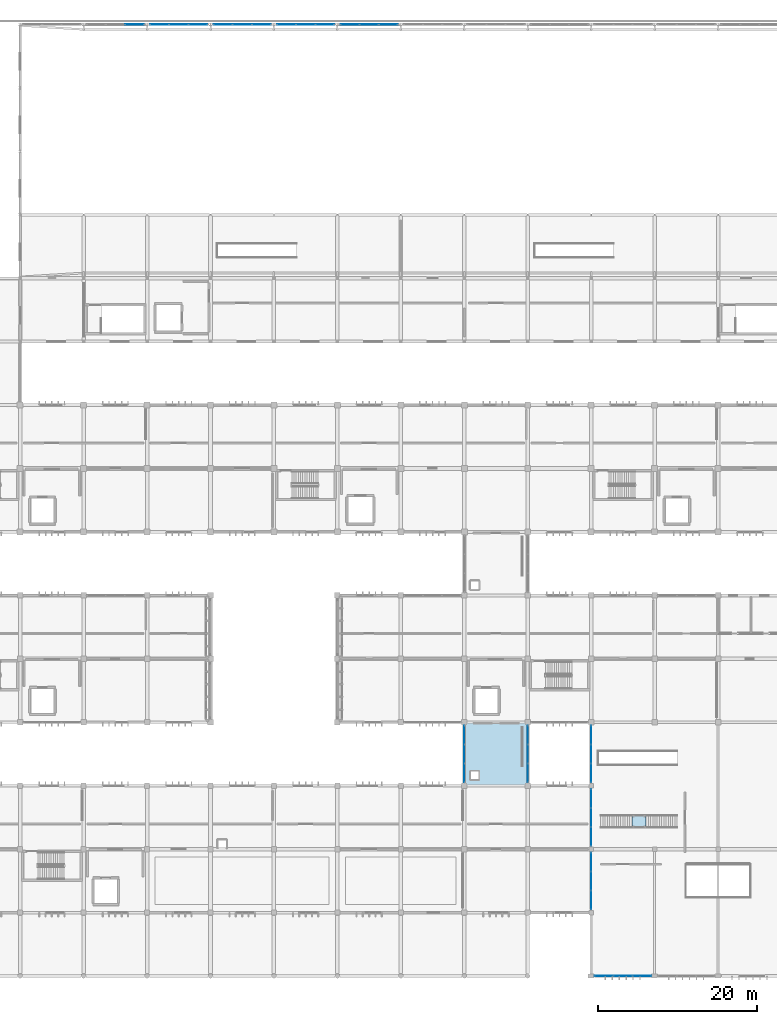
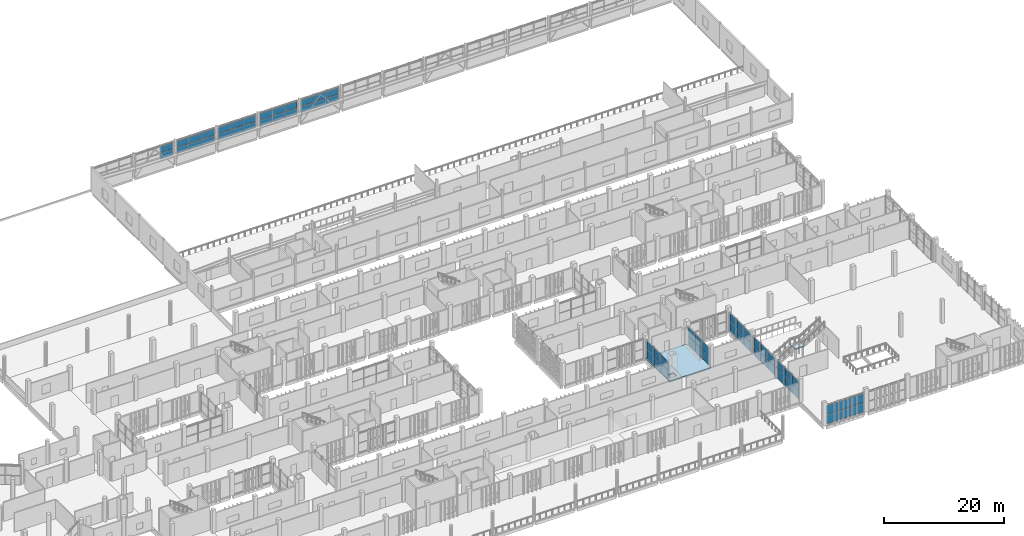
# One storey, part 73 of 106: 62 plates, 2 slabs, 12 elements without a shape of their own.
"""IFC4 building model written with IfcOpenShell, lengths in metres."""

from ifc_helpers import new_model, si_unit, direction, frame, origin, origin_2d, place, context, subcontext, project, spatial, polyline, rectangle, outline, extrude, material, layer, layer_set, type_object, element, aggregate, save


model = new_model("IFC4")

# Units and contexts
model_context = context("Model", 3, precision=1e-05, world=origin(), true_north=direction((0.0, 1.0)))
body_context = subcontext(model_context, "Body", "Model", "MODEL_VIEW")
ifc_project = project(units=[si_unit("LENGTHUNIT", "METRE"), si_unit("AREAUNIT", "SQUARE_METRE"), si_unit("VOLUMEUNIT", "CUBIC_METRE"), si_unit("PLANEANGLEUNIT", "RADIAN"), si_unit("MASSUNIT", "GRAM", prefix="KILO")], contexts=[model_context])

# Site, building, storey
site_placement = place(None, origin())
site = spatial("IfcSite", under=ifc_project, at=site_placement, CompositionType="ELEMENT")
building_placement = place(site_placement, origin())
building = spatial("IfcBuilding", under=site, at=building_placement, Name="Jelvoka-Kovrelna Polytechnic", CompositionType="ELEMENT")
storey_placement = place(building_placement, frame((0.0, 0.0, 4.800048828125)))
storey = spatial("IfcBuildingStorey", under=building, at=storey_placement, Name="L02", CompositionType="ELEMENT", Elevation=4.800048828125)

# Curtain wall, plates
ifc_material_1 = material(Name="Anodised aluminium 6063-T6", Category="aluminium")
ifc_layer_1 = layer(ifc_material_1, 0.199951171875)
ifc_layer_set_1 = layer_set([ifc_layer_1], Name="Anodised aluminium 6063-T6")
curtain_wall_type_1 = type_object("IfcCurtainWallType", Name="CW_Clerestory", PredefinedType="NOTDEFINED", material=ifc_layer_set_1)
curtain_wall_1_placement = place(storey_placement, origin())
curtain_wall_1 = element("IfcCurtainWall", 1, at=curtain_wall_1_placement, inside=storey, type_object=curtain_wall_type_1, Name="L02 glazed curtain wall 170", PredefinedType="NOTDEFINED")
ifc_material_2 = material(Name="Solar-control double glazing", Category="glass")
ifc_layer_2 = layer(ifc_material_2, 0.035888671875)
ifc_layer_set_2 = layer_set([ifc_layer_2], Name="Solar-control double glazing")
plate_type_1 = type_object("IfcPlateType", Name="Panel_GP-03", PredefinedType="CURTAIN_PANEL", material=ifc_layer_set_2)
plate_1_placement = place(storey_placement, frame((102.4091796875, 120.0, 2.011962890625), z_axis=(0.0, 0.0, 1.0), x_axis=(1.0, 0.0, 0.0)))
plate_1 = element("IfcPlate", 2, at=plate_1_placement, type_object=plate_type_1, Name="CW-03 panel 3.1", PredefinedType="CURTAIN_PANEL", context=body_context, shape_type="SweptSolid", body=[
    extrude(rectangle(XDim=2.337890625, YDim=0.035888671875, at=origin_2d()), origin(), (0.0, 0.0, 1.0), 1.296142578125),
])
plate_2_placement = place(storey_placement, frame((102.4091796875, 120.0, 3.362060546875), z_axis=(0.0, 0.0, 1.0), x_axis=(1.0, 0.0, 0.0)))
plate_2 = element("IfcPlate", 3, at=plate_2_placement, type_object=plate_type_1, Name="CW-03 panel 3.2", PredefinedType="CURTAIN_PANEL", context=body_context, shape_type="SweptSolid", body=[
    extrude(rectangle(XDim=2.337890625, YDim=0.035888671875, at=origin_2d()), origin(), (0.0, 0.0, 1.0), 1.296142578125),
])
aggregate(curtain_wall_1, [plate_1, plate_2])

curtain_wall_2_placement = place(storey_placement, origin())
curtain_wall_2 = element("IfcCurtainWall", 4, at=curtain_wall_2_placement, inside=storey, type_object=curtain_wall_type_1, Name="L02 glazed curtain wall 171", PredefinedType="NOTDEFINED")
plate_3_placement = place(storey_placement, frame((105.5908203125, 120.0, 2.011962890625), z_axis=(0.0, 0.0, 1.0), x_axis=(1.0, 0.0, 0.0)))
plate_3 = element("IfcPlate", 5, at=plate_3_placement, type_object=plate_type_1, Name="CW-03 panel 1.1", PredefinedType="CURTAIN_PANEL", context=body_context, shape_type="SweptSolid", body=[
    extrude(rectangle(XDim=2.337890625, YDim=0.035888671875, at=origin_2d()), origin(), (0.0, 0.0, 1.0), 1.296142578125),
])
plate_4_placement = place(storey_placement, frame((105.5908203125, 120.0, 3.362060546875), z_axis=(0.0, 0.0, 1.0), x_axis=(1.0, 0.0, 0.0)))
plate_4 = element("IfcPlate", 6, at=plate_4_placement, type_object=plate_type_1, Name="CW-03 panel 1.2", PredefinedType="CURTAIN_PANEL", context=body_context, shape_type="SweptSolid", body=[
    extrude(rectangle(XDim=2.337890625, YDim=0.035888671875, at=origin_2d()), origin(), (0.0, 0.0, 1.0), 1.296142578125),
])
plate_5_placement = place(storey_placement, frame((108.0, 120.0, 2.011962890625), z_axis=(0.0, 0.0, 1.0), x_axis=(1.0, 0.0, 0.0)))
plate_5 = element("IfcPlate", 7, at=plate_5_placement, type_object=plate_type_1, Name="CW-03 panel 2.1", PredefinedType="CURTAIN_PANEL", context=body_context, shape_type="SweptSolid", body=[
    extrude(rectangle(XDim=2.372802734375, YDim=0.035888671875, at=origin_2d()), origin(), (0.0, 0.0, 1.0), 1.296142578125),
])
plate_6_placement = place(storey_placement, frame((108.0, 120.0, 3.362060546875), z_axis=(0.0, 0.0, 1.0), x_axis=(1.0, 0.0, 0.0)))
plate_6 = element("IfcPlate", 8, at=plate_6_placement, type_object=plate_type_1, Name="CW-03 panel 2.2", PredefinedType="CURTAIN_PANEL", context=body_context, shape_type="SweptSolid", body=[
    extrude(rectangle(XDim=2.372802734375, YDim=0.035888671875, at=origin_2d()), origin(), (0.0, 0.0, 1.0), 1.296142578125),
])
plate_7_placement = place(storey_placement, frame((110.4091796875, 120.0, 2.011962890625), z_axis=(0.0, 0.0, 1.0), x_axis=(1.0, 0.0, 0.0)))
plate_7 = element("IfcPlate", 9, at=plate_7_placement, type_object=plate_type_1, Name="CW-03 panel 3.1", PredefinedType="CURTAIN_PANEL", context=body_context, shape_type="SweptSolid", body=[
    extrude(rectangle(XDim=2.337890625, YDim=0.035888671875, at=origin_2d()), origin(), (0.0, 0.0, 1.0), 1.296142578125),
])
plate_8_placement = place(storey_placement, frame((110.4091796875, 120.0, 3.362060546875), z_axis=(0.0, 0.0, 1.0), x_axis=(1.0, 0.0, 0.0)))
plate_8 = element("IfcPlate", 10, at=plate_8_placement, type_object=plate_type_1, Name="CW-03 panel 3.2", PredefinedType="CURTAIN_PANEL", context=body_context, shape_type="SweptSolid", body=[
    extrude(rectangle(XDim=2.337890625, YDim=0.035888671875, at=origin_2d()), origin(), (0.0, 0.0, 1.0), 1.296142578125),
])
aggregate(curtain_wall_2, [plate_3, plate_4, plate_5, plate_6, plate_7, plate_8])

curtain_wall_3_placement = place(storey_placement, origin())
curtain_wall_3 = element("IfcCurtainWall", 11, at=curtain_wall_3_placement, inside=storey, type_object=curtain_wall_type_1, Name="L02 glazed curtain wall 172", PredefinedType="NOTDEFINED")
plate_9_placement = place(storey_placement, frame((113.5908203125, 120.0, 2.011962890625), z_axis=(0.0, 0.0, 1.0), x_axis=(1.0, 0.0, 0.0)))
plate_9 = element("IfcPlate", 12, at=plate_9_placement, type_object=plate_type_1, Name="CW-03 panel 1.1", PredefinedType="CURTAIN_PANEL", context=body_context, shape_type="SweptSolid", body=[
    extrude(rectangle(XDim=2.337890625, YDim=0.035888671875, at=origin_2d()), origin(), (0.0, 0.0, 1.0), 1.296142578125),
])
plate_10_placement = place(storey_placement, frame((113.5908203125, 120.0, 3.362060546875), z_axis=(0.0, 0.0, 1.0), x_axis=(1.0, 0.0, 0.0)))
plate_10 = element("IfcPlate", 13, at=plate_10_placement, type_object=plate_type_1, Name="CW-03 panel 1.2", PredefinedType="CURTAIN_PANEL", context=body_context, shape_type="SweptSolid", body=[
    extrude(rectangle(XDim=2.337890625, YDim=0.035888671875, at=origin_2d()), origin(), (0.0, 0.0, 1.0), 1.296142578125),
])
plate_11_placement = place(storey_placement, frame((116.0, 120.0, 2.011962890625), z_axis=(0.0, 0.0, 1.0), x_axis=(1.0, 0.0, 0.0)))
plate_11 = element("IfcPlate", 14, at=plate_11_placement, type_object=plate_type_1, Name="CW-03 panel 2.1", PredefinedType="CURTAIN_PANEL", context=body_context, shape_type="SweptSolid", body=[
    extrude(rectangle(XDim=2.372802734375, YDim=0.035888671875, at=origin_2d()), origin(), (0.0, 0.0, 1.0), 1.296142578125),
])
plate_12_placement = place(storey_placement, frame((116.0, 120.0, 3.362060546875), z_axis=(0.0, 0.0, 1.0), x_axis=(1.0, 0.0, 0.0)))
plate_12 = element("IfcPlate", 15, at=plate_12_placement, type_object=plate_type_1, Name="CW-03 panel 2.2", PredefinedType="CURTAIN_PANEL", context=body_context, shape_type="SweptSolid", body=[
    extrude(rectangle(XDim=2.372802734375, YDim=0.035888671875, at=origin_2d()), origin(), (0.0, 0.0, 1.0), 1.296142578125),
])
plate_13_placement = place(storey_placement, frame((118.4091796875, 120.0, 2.011962890625), z_axis=(0.0, 0.0, 1.0), x_axis=(1.0, 0.0, 0.0)))
plate_13 = element("IfcPlate", 16, at=plate_13_placement, type_object=plate_type_1, Name="CW-03 panel 3.1", PredefinedType="CURTAIN_PANEL", context=body_context, shape_type="SweptSolid", body=[
    extrude(rectangle(XDim=2.337890625, YDim=0.035888671875, at=origin_2d()), origin(), (0.0, 0.0, 1.0), 1.296142578125),
])
plate_14_placement = place(storey_placement, frame((118.4091796875, 120.0, 3.362060546875), z_axis=(0.0, 0.0, 1.0), x_axis=(1.0, 0.0, 0.0)))
plate_14 = element("IfcPlate", 17, at=plate_14_placement, type_object=plate_type_1, Name="CW-03 panel 3.2", PredefinedType="CURTAIN_PANEL", context=body_context, shape_type="SweptSolid", body=[
    extrude(rectangle(XDim=2.337890625, YDim=0.035888671875, at=origin_2d()), origin(), (0.0, 0.0, 1.0), 1.296142578125),
])
aggregate(curtain_wall_3, [plate_9, plate_10, plate_11, plate_12, plate_13, plate_14])

curtain_wall_4_placement = place(storey_placement, origin())
curtain_wall_4 = element("IfcCurtainWall", 18, at=curtain_wall_4_placement, inside=storey, type_object=curtain_wall_type_1, Name="L02 glazed curtain wall 173", PredefinedType="NOTDEFINED")
plate_15_placement = place(storey_placement, frame((121.5908203125, 120.0, 2.011962890625), z_axis=(0.0, 0.0, 1.0), x_axis=(1.0, 0.0, 0.0)))
plate_15 = element("IfcPlate", 19, at=plate_15_placement, type_object=plate_type_1, Name="CW-03 panel 1.1", PredefinedType="CURTAIN_PANEL", context=body_context, shape_type="SweptSolid", body=[
    extrude(rectangle(XDim=2.337890625, YDim=0.035888671875, at=origin_2d()), origin(), (0.0, 0.0, 1.0), 1.296142578125),
])
plate_16_placement = place(storey_placement, frame((121.5908203125, 120.0, 3.362060546875), z_axis=(0.0, 0.0, 1.0), x_axis=(1.0, 0.0, 0.0)))
plate_16 = element("IfcPlate", 20, at=plate_16_placement, type_object=plate_type_1, Name="CW-03 panel 1.2", PredefinedType="CURTAIN_PANEL", context=body_context, shape_type="SweptSolid", body=[
    extrude(rectangle(XDim=2.337890625, YDim=0.035888671875, at=origin_2d()), origin(), (0.0, 0.0, 1.0), 1.296142578125),
])
plate_17_placement = place(storey_placement, frame((124.0, 120.0, 2.011962890625), z_axis=(0.0, 0.0, 1.0), x_axis=(1.0, 0.0, 0.0)))
plate_17 = element("IfcPlate", 21, at=plate_17_placement, type_object=plate_type_1, Name="CW-03 panel 2.1", PredefinedType="CURTAIN_PANEL", context=body_context, shape_type="SweptSolid", body=[
    extrude(rectangle(XDim=2.372802734375, YDim=0.035888671875, at=origin_2d()), origin(), (0.0, 0.0, 1.0), 1.296142578125),
])
plate_18_placement = place(storey_placement, frame((124.0, 120.0, 3.362060546875), z_axis=(0.0, 0.0, 1.0), x_axis=(1.0, 0.0, 0.0)))
plate_18 = element("IfcPlate", 22, at=plate_18_placement, type_object=plate_type_1, Name="CW-03 panel 2.2", PredefinedType="CURTAIN_PANEL", context=body_context, shape_type="SweptSolid", body=[
    extrude(rectangle(XDim=2.372802734375, YDim=0.035888671875, at=origin_2d()), origin(), (0.0, 0.0, 1.0), 1.296142578125),
])
plate_19_placement = place(storey_placement, frame((126.4091796875, 120.0, 2.011962890625), z_axis=(0.0, 0.0, 1.0), x_axis=(1.0, 0.0, 0.0)))
plate_19 = element("IfcPlate", 23, at=plate_19_placement, type_object=plate_type_1, Name="CW-03 panel 3.1", PredefinedType="CURTAIN_PANEL", context=body_context, shape_type="SweptSolid", body=[
    extrude(rectangle(XDim=2.337890625, YDim=0.035888671875, at=origin_2d()), origin(), (0.0, 0.0, 1.0), 1.296142578125),
])
plate_20_placement = place(storey_placement, frame((126.4091796875, 120.0, 3.362060546875), z_axis=(0.0, 0.0, 1.0), x_axis=(1.0, 0.0, 0.0)))
plate_20 = element("IfcPlate", 24, at=plate_20_placement, type_object=plate_type_1, Name="CW-03 panel 3.2", PredefinedType="CURTAIN_PANEL", context=body_context, shape_type="SweptSolid", body=[
    extrude(rectangle(XDim=2.337890625, YDim=0.035888671875, at=origin_2d()), origin(), (0.0, 0.0, 1.0), 1.296142578125),
])
aggregate(curtain_wall_4, [plate_15, plate_16, plate_17, plate_18, plate_19, plate_20])

curtain_wall_5_placement = place(storey_placement, origin())
curtain_wall_5 = element("IfcCurtainWall", 25, at=curtain_wall_5_placement, inside=storey, type_object=curtain_wall_type_1, Name="L02 glazed curtain wall 174", PredefinedType="NOTDEFINED")
plate_21_placement = place(storey_placement, frame((129.5908203125, 120.0, 2.011962890625), z_axis=(0.0, 0.0, 1.0), x_axis=(1.0, 0.0, 0.0)))
plate_21 = element("IfcPlate", 26, at=plate_21_placement, type_object=plate_type_1, Name="CW-03 panel 1.1", PredefinedType="CURTAIN_PANEL", context=body_context, shape_type="SweptSolid", body=[
    extrude(rectangle(XDim=2.337890625, YDim=0.035888671875, at=origin_2d()), origin(), (0.0, 0.0, 1.0), 1.296142578125),
])
plate_22_placement = place(storey_placement, frame((129.5908203125, 120.0, 3.362060546875), z_axis=(0.0, 0.0, 1.0), x_axis=(1.0, 0.0, 0.0)))
plate_22 = element("IfcPlate", 27, at=plate_22_placement, type_object=plate_type_1, Name="CW-03 panel 1.2", PredefinedType="CURTAIN_PANEL", context=body_context, shape_type="SweptSolid", body=[
    extrude(rectangle(XDim=2.337890625, YDim=0.035888671875, at=origin_2d()), origin(), (0.0, 0.0, 1.0), 1.296142578125),
])
plate_23_placement = place(storey_placement, frame((132.0, 120.0, 2.011962890625), z_axis=(0.0, 0.0, 1.0), x_axis=(1.0, 0.0, 0.0)))
plate_23 = element("IfcPlate", 28, at=plate_23_placement, type_object=plate_type_1, Name="CW-03 panel 2.1", PredefinedType="CURTAIN_PANEL", context=body_context, shape_type="SweptSolid", body=[
    extrude(rectangle(XDim=2.372802734375, YDim=0.035888671875, at=origin_2d()), origin(), (0.0, 0.0, 1.0), 1.296142578125),
])
plate_24_placement = place(storey_placement, frame((132.0, 120.0, 3.362060546875), z_axis=(0.0, 0.0, 1.0), x_axis=(1.0, 0.0, 0.0)))
plate_24 = element("IfcPlate", 29, at=plate_24_placement, type_object=plate_type_1, Name="CW-03 panel 2.2", PredefinedType="CURTAIN_PANEL", context=body_context, shape_type="SweptSolid", body=[
    extrude(rectangle(XDim=2.372802734375, YDim=0.035888671875, at=origin_2d()), origin(), (0.0, 0.0, 1.0), 1.296142578125),
])
plate_25_placement = place(storey_placement, frame((134.4091796875, 120.0, 2.011962890625), z_axis=(0.0, 0.0, 1.0), x_axis=(1.0, 0.0, 0.0)))
plate_25 = element("IfcPlate", 30, at=plate_25_placement, type_object=plate_type_1, Name="CW-03 panel 3.1", PredefinedType="CURTAIN_PANEL", context=body_context, shape_type="SweptSolid", body=[
    extrude(rectangle(XDim=2.337890625, YDim=0.035888671875, at=origin_2d()), origin(), (0.0, 0.0, 1.0), 1.296142578125),
])
plate_26_placement = place(storey_placement, frame((134.4091796875, 120.0, 3.362060546875), z_axis=(0.0, 0.0, 1.0), x_axis=(1.0, 0.0, 0.0)))
plate_26 = element("IfcPlate", 31, at=plate_26_placement, type_object=plate_type_1, Name="CW-03 panel 3.2", PredefinedType="CURTAIN_PANEL", context=body_context, shape_type="SweptSolid", body=[
    extrude(rectangle(XDim=2.337890625, YDim=0.035888671875, at=origin_2d()), origin(), (0.0, 0.0, 1.0), 1.296142578125),
])
aggregate(curtain_wall_5, [plate_21, plate_22, plate_23, plate_24, plate_25, plate_26])

ifc_material_3 = material(Name="Anodised aluminium 6063-T6", Category="aluminium")
ifc_layer_3 = layer(ifc_material_3, 0.159912109375)
ifc_layer_set_3 = layer_set([ifc_layer_3], Name="Anodised aluminium 6063-T6")
curtain_wall_type_2 = type_object("IfcCurtainWallType", Name="CW_LinkBridge", PredefinedType="NOTDEFINED", material=ifc_layer_set_3)
curtain_wall_6_placement = place(storey_placement, origin())
curtain_wall_6 = element("IfcCurtainWall", 32, at=curtain_wall_6_placement, inside=storey, type_object=curtain_wall_type_2, Name="L02 glazed curtain wall 116", PredefinedType="NOTDEFINED")
ifc_material_4 = material(Name="Solar-control double glazing", Category="glass")
ifc_layer_4 = layer(ifc_material_4, 0.02392578125)
ifc_layer_set_4 = layer_set([ifc_layer_4], Name="Solar-control double glazing")
plate_type_2 = type_object("IfcPlateType", Name="Panel_GP-04", PredefinedType="CURTAIN_PANEL", material=ifc_layer_set_4)
plate_27_placement = place(storey_placement, frame((144.0, 25.614990234375, 0.0517578125), z_axis=(0.0, 0.0, 1.0), x_axis=(0.0, 1.0, 0.0)))
plate_27 = element("IfcPlate", 33, at=plate_27_placement, type_object=plate_type_2, Name="CW-04 panel 1.1", PredefinedType="CURTAIN_PANEL", context=body_context, shape_type="SweptSolid", body=[
    extrude(rectangle(XDim=2.326171875, YDim=0.02392578125, at=origin_2d()), origin(), (0.0, 0.0, 1.0), 1.80615234375),
])
plate_28_placement = place(storey_placement, frame((144.0, 25.614990234375, 1.90185546875), z_axis=(0.0, 0.0, 1.0), x_axis=(0.0, 1.0, 0.0)))
plate_28 = element("IfcPlate", 34, at=plate_28_placement, type_object=plate_type_2, Name="CW-04 panel 1.2", PredefinedType="CURTAIN_PANEL", context=body_context, shape_type="SweptSolid", body=[
    extrude(rectangle(XDim=2.326171875, YDim=0.02392578125, at=origin_2d()), origin(), (0.0, 0.0, 1.0), 1.80615234375),
])
plate_29_placement = place(storey_placement, frame((144.0, 28.0, 0.0517578125), z_axis=(0.0, 0.0, 1.0), x_axis=(0.0, 1.0, 0.0)))
plate_29 = element("IfcPlate", 35, at=plate_29_placement, type_object=plate_type_2, Name="CW-04 panel 2.1", PredefinedType="CURTAIN_PANEL", context=body_context, shape_type="SweptSolid", body=[
    extrude(rectangle(XDim=2.356201171875, YDim=0.02392578125, at=origin_2d()), origin(), (0.0, 0.0, 1.0), 1.80615234375),
])
plate_30_placement = place(storey_placement, frame((144.0, 28.0, 1.90185546875), z_axis=(0.0, 0.0, 1.0), x_axis=(0.0, 1.0, 0.0)))
plate_30 = element("IfcPlate", 36, at=plate_30_placement, type_object=plate_type_2, Name="CW-04 panel 2.2", PredefinedType="CURTAIN_PANEL", context=body_context, shape_type="SweptSolid", body=[
    extrude(rectangle(XDim=2.356201171875, YDim=0.02392578125, at=origin_2d()), origin(), (0.0, 0.0, 1.0), 1.80615234375),
])
plate_31_placement = place(storey_placement, frame((144.0, 30.385009765625, 0.0517578125), z_axis=(0.0, 0.0, 1.0), x_axis=(0.0, 1.0, 0.0)))
plate_31 = element("IfcPlate", 37, at=plate_31_placement, type_object=plate_type_2, Name="CW-04 panel 3.1", PredefinedType="CURTAIN_PANEL", context=body_context, shape_type="SweptSolid", body=[
    extrude(rectangle(XDim=2.326171875, YDim=0.02392578125, at=origin_2d()), origin(), (0.0, 0.0, 1.0), 1.80615234375),
])
plate_32_placement = place(storey_placement, frame((144.0, 30.385009765625, 1.90185546875), z_axis=(0.0, 0.0, 1.0), x_axis=(0.0, 1.0, 0.0)))
plate_32 = element("IfcPlate", 38, at=plate_32_placement, type_object=plate_type_2, Name="CW-04 panel 3.2", PredefinedType="CURTAIN_PANEL", context=body_context, shape_type="SweptSolid", body=[
    extrude(rectangle(XDim=2.326171875, YDim=0.02392578125, at=origin_2d()), origin(), (0.0, 0.0, 1.0), 1.80615234375),
])
aggregate(curtain_wall_6, [plate_27, plate_28, plate_29, plate_30, plate_31, plate_32])

curtain_wall_7_placement = place(storey_placement, origin())
curtain_wall_7 = element("IfcCurtainWall", 39, at=curtain_wall_7_placement, inside=storey, type_object=curtain_wall_type_2, Name="L02 glazed curtain wall 117", PredefinedType="NOTDEFINED")
plate_33_placement = place(storey_placement, frame((152.0, 30.385009765625, 0.0517578125), z_axis=(0.0, 0.0, 1.0), x_axis=(0.0, -1.0, 0.0)))
plate_33 = element("IfcPlate", 40, at=plate_33_placement, type_object=plate_type_2, Name="CW-04 panel 1.1", PredefinedType="CURTAIN_PANEL", context=body_context, shape_type="SweptSolid", body=[
    extrude(rectangle(XDim=2.326171875, YDim=0.02392578125, at=origin_2d()), origin(), (0.0, 0.0, 1.0), 1.80615234375),
])
plate_34_placement = place(storey_placement, frame((152.0, 30.385009765625, 1.90185546875), z_axis=(0.0, 0.0, 1.0), x_axis=(0.0, -1.0, 0.0)))
plate_34 = element("IfcPlate", 41, at=plate_34_placement, type_object=plate_type_2, Name="CW-04 panel 1.2", PredefinedType="CURTAIN_PANEL", context=body_context, shape_type="SweptSolid", body=[
    extrude(rectangle(XDim=2.326171875, YDim=0.02392578125, at=origin_2d()), origin(), (0.0, 0.0, 1.0), 1.80615234375),
])
plate_35_placement = place(storey_placement, frame((152.0, 28.0, 0.0517578125), z_axis=(0.0, 0.0, 1.0), x_axis=(0.0, -1.0, 0.0)))
plate_35 = element("IfcPlate", 42, at=plate_35_placement, type_object=plate_type_2, Name="CW-04 panel 2.1", PredefinedType="CURTAIN_PANEL", context=body_context, shape_type="SweptSolid", body=[
    extrude(rectangle(XDim=2.356201171875, YDim=0.02392578125, at=origin_2d()), origin(), (0.0, 0.0, 1.0), 1.80615234375),
])
plate_36_placement = place(storey_placement, frame((152.0, 28.0, 1.90185546875), z_axis=(0.0, 0.0, 1.0), x_axis=(0.0, -1.0, 0.0)))
plate_36 = element("IfcPlate", 43, at=plate_36_placement, type_object=plate_type_2, Name="CW-04 panel 2.2", PredefinedType="CURTAIN_PANEL", context=body_context, shape_type="SweptSolid", body=[
    extrude(rectangle(XDim=2.356201171875, YDim=0.02392578125, at=origin_2d()), origin(), (0.0, 0.0, 1.0), 1.80615234375),
])
plate_37_placement = place(storey_placement, frame((152.0, 25.614990234375, 0.0517578125), z_axis=(0.0, 0.0, 1.0), x_axis=(0.0, -1.0, 0.0)))
plate_37 = element("IfcPlate", 44, at=plate_37_placement, type_object=plate_type_2, Name="CW-04 panel 3.1", PredefinedType="CURTAIN_PANEL", context=body_context, shape_type="SweptSolid", body=[
    extrude(rectangle(XDim=2.326171875, YDim=0.02392578125, at=origin_2d()), origin(), (0.0, 0.0, 1.0), 1.80615234375),
])
plate_38_placement = place(storey_placement, frame((152.0, 25.614990234375, 1.90185546875), z_axis=(0.0, 0.0, 1.0), x_axis=(0.0, -1.0, 0.0)))
plate_38 = element("IfcPlate", 45, at=plate_38_placement, type_object=plate_type_2, Name="CW-04 panel 3.2", PredefinedType="CURTAIN_PANEL", context=body_context, shape_type="SweptSolid", body=[
    extrude(rectangle(XDim=2.326171875, YDim=0.02392578125, at=origin_2d()), origin(), (0.0, 0.0, 1.0), 1.80615234375),
])
aggregate(curtain_wall_7, [plate_33, plate_34, plate_35, plate_36, plate_37, plate_38])

ifc_material_5 = material(Name="Anodised aluminium 6063-T6", Category="aluminium")
ifc_layer_5 = layer(ifc_material_5, 0.179931640625)
ifc_layer_set_5 = layer_set([ifc_layer_5], Name="Anodised aluminium 6063-T6")
curtain_wall_type_3 = type_object("IfcCurtainWallType", Name="CW_Pavilion", PredefinedType="NOTDEFINED", material=ifc_layer_set_5)
curtain_wall_8_placement = place(storey_placement, origin())
curtain_wall_8 = element("IfcCurtainWall", 46, at=curtain_wall_8_placement, inside=storey, type_object=curtain_wall_type_3, Name="L02 glazed curtain wall 279", PredefinedType="NOTDEFINED")
ifc_material_6 = material(Name="Solar-control double glazing", Category="glass")
ifc_layer_6 = layer(ifc_material_6, 0.030029296875)
ifc_layer_set_6 = layer_set([ifc_layer_6], Name="Solar-control double glazing")
plate_type_3 = type_object("IfcPlateType", Name="Panel_GP-05", PredefinedType="CURTAIN_PANEL", material=ifc_layer_set_6)
plate_39_placement = place(storey_placement, frame((166.3837890625, 0.0, 0.056884765625), z_axis=(0.0, 0.0, 1.0), x_axis=(-1.0, 0.0, 0.0)))
plate_39 = element("IfcPlate", 47, at=plate_39_placement, type_object=plate_type_3, Name="CW-05 panel 1.1", PredefinedType="CURTAIN_PANEL", context=body_context, shape_type="SweptSolid", body=[
    extrude(rectangle(XDim=2.318603515625, YDim=0.030029296875, at=origin_2d()), origin(), (0.0, 0.0, 1.0), 1.863525390625),
])
plate_40_placement = place(storey_placement, frame((166.3837890625, 0.0, 1.969482421875), z_axis=(0.0, 0.0, 1.0), x_axis=(-1.0, 0.0, 0.0)))
plate_40 = element("IfcPlate", 48, at=plate_40_placement, type_object=plate_type_3, Name="CW-05 panel 1.2", PredefinedType="CURTAIN_PANEL", context=body_context, shape_type="SweptSolid", body=[
    extrude(rectangle(XDim=2.318603515625, YDim=0.030029296875, at=origin_2d()), origin(), (0.0, 0.0, 1.0), 1.863525390625),
])
plate_41_placement = place(storey_placement, frame((164.0, 0.0, 0.056884765625), z_axis=(0.0, 0.0, 1.0), x_axis=(-1.0, 0.0, 0.0)))
plate_41 = element("IfcPlate", 49, at=plate_41_placement, type_object=plate_type_3, Name="CW-05 panel 2.1", PredefinedType="CURTAIN_PANEL", context=body_context, shape_type="SweptSolid", body=[
    extrude(rectangle(XDim=2.35107421875, YDim=0.030029296875, at=origin_2d()), origin(), (0.0, 0.0, 1.0), 1.863525390625),
])
plate_42_placement = place(storey_placement, frame((164.0, 0.0, 1.969482421875), z_axis=(0.0, 0.0, 1.0), x_axis=(-1.0, 0.0, 0.0)))
plate_42 = element("IfcPlate", 50, at=plate_42_placement, type_object=plate_type_3, Name="CW-05 panel 2.2", PredefinedType="CURTAIN_PANEL", context=body_context, shape_type="SweptSolid", body=[
    extrude(rectangle(XDim=2.35107421875, YDim=0.030029296875, at=origin_2d()), origin(), (0.0, 0.0, 1.0), 1.863525390625),
])
plate_43_placement = place(storey_placement, frame((161.6162109375, 0.0, 0.056884765625), z_axis=(0.0, 0.0, 1.0), x_axis=(-1.0, 0.0, 0.0)))
plate_43 = element("IfcPlate", 51, at=plate_43_placement, type_object=plate_type_3, Name="CW-05 panel 3.1", PredefinedType="CURTAIN_PANEL", context=body_context, shape_type="SweptSolid", body=[
    extrude(rectangle(XDim=2.318603515625, YDim=0.030029296875, at=origin_2d()), origin(), (0.0, 0.0, 1.0), 1.863525390625),
])
plate_44_placement = place(storey_placement, frame((161.6162109375, 0.0, 1.969482421875), z_axis=(0.0, 0.0, 1.0), x_axis=(-1.0, 0.0, 0.0)))
plate_44 = element("IfcPlate", 52, at=plate_44_placement, type_object=plate_type_3, Name="CW-05 panel 3.2", PredefinedType="CURTAIN_PANEL", context=body_context, shape_type="SweptSolid", body=[
    extrude(rectangle(XDim=2.318603515625, YDim=0.030029296875, at=origin_2d()), origin(), (0.0, 0.0, 1.0), 1.863525390625),
])
aggregate(curtain_wall_8, [plate_39, plate_40, plate_41, plate_42, plate_43, plate_44])

curtain_wall_9_placement = place(storey_placement, origin())
curtain_wall_9 = element("IfcCurtainWall", 53, at=curtain_wall_9_placement, inside=storey, type_object=curtain_wall_type_3, Name="L02 glazed curtain wall 283", PredefinedType="NOTDEFINED")
plate_45_placement = place(storey_placement, frame((160.0, 9.6162109375, 0.056884765625), z_axis=(0.0, 0.0, 1.0), x_axis=(0.0, 1.0, 0.0)))
plate_45 = element("IfcPlate", 54, at=plate_45_placement, type_object=plate_type_3, Name="CW-05 panel 1.1", PredefinedType="CURTAIN_PANEL", context=body_context, shape_type="SweptSolid", body=[
    extrude(rectangle(XDim=2.318603515625, YDim=0.030029296875, at=origin_2d()), origin(), (0.0, 0.0, 1.0), 1.82470703125),
])
plate_46_placement = place(storey_placement, frame((160.0, 9.6162109375, 1.930419921875), z_axis=(0.0, 0.0, 1.0), x_axis=(0.0, 1.0, 0.0)))
plate_46 = element("IfcPlate", 55, at=plate_46_placement, type_object=plate_type_3, Name="CW-05 panel 1.2", PredefinedType="CURTAIN_PANEL", context=body_context, shape_type="SweptSolid", body=[
    extrude(rectangle(XDim=2.318603515625, YDim=0.030029296875, at=origin_2d()), origin(), (0.0, 0.0, 1.0), 1.82470703125),
])
plate_47_placement = place(storey_placement, frame((160.0, 12.0, 0.056884765625), z_axis=(0.0, 0.0, 1.0), x_axis=(0.0, 1.0, 0.0)))
plate_47 = element("IfcPlate", 56, at=plate_47_placement, type_object=plate_type_3, Name="CW-05 panel 2.1", PredefinedType="CURTAIN_PANEL", context=body_context, shape_type="SweptSolid", body=[
    extrude(rectangle(XDim=2.35107421875, YDim=0.030029296875, at=origin_2d()), origin(), (0.0, 0.0, 1.0), 1.82470703125),
])
plate_48_placement = place(storey_placement, frame((160.0, 12.0, 1.930419921875), z_axis=(0.0, 0.0, 1.0), x_axis=(0.0, 1.0, 0.0)))
plate_48 = element("IfcPlate", 57, at=plate_48_placement, type_object=plate_type_3, Name="CW-05 panel 2.2", PredefinedType="CURTAIN_PANEL", context=body_context, shape_type="SweptSolid", body=[
    extrude(rectangle(XDim=2.35107421875, YDim=0.030029296875, at=origin_2d()), origin(), (0.0, 0.0, 1.0), 1.82470703125),
])
plate_49_placement = place(storey_placement, frame((160.0, 14.3837890625, 0.056884765625), z_axis=(0.0, 0.0, 1.0), x_axis=(0.0, 1.0, 0.0)))
plate_49 = element("IfcPlate", 58, at=plate_49_placement, type_object=plate_type_3, Name="CW-05 panel 3.1", PredefinedType="CURTAIN_PANEL", context=body_context, shape_type="SweptSolid", body=[
    extrude(rectangle(XDim=2.318603515625, YDim=0.030029296875, at=origin_2d()), origin(), (0.0, 0.0, 1.0), 1.82470703125),
])
plate_50_placement = place(storey_placement, frame((160.0, 14.3837890625, 1.930419921875), z_axis=(0.0, 0.0, 1.0), x_axis=(0.0, 1.0, 0.0)))
plate_50 = element("IfcPlate", 59, at=plate_50_placement, type_object=plate_type_3, Name="CW-05 panel 3.2", PredefinedType="CURTAIN_PANEL", context=body_context, shape_type="SweptSolid", body=[
    extrude(rectangle(XDim=2.318603515625, YDim=0.030029296875, at=origin_2d()), origin(), (0.0, 0.0, 1.0), 1.82470703125),
])
aggregate(curtain_wall_9, [plate_45, plate_46, plate_47, plate_48, plate_49, plate_50])

curtain_wall_10_placement = place(storey_placement, origin())
curtain_wall_10 = element("IfcCurtainWall", 60, at=curtain_wall_10_placement, inside=storey, type_object=curtain_wall_type_3, Name="L02 glazed curtain wall 284", PredefinedType="NOTDEFINED")
plate_51_placement = place(storey_placement, frame((160.0, 17.6162109375, 0.056884765625), z_axis=(0.0, 0.0, 1.0), x_axis=(0.0, 1.0, 0.0)))
plate_51 = element("IfcPlate", 61, at=plate_51_placement, type_object=plate_type_3, Name="CW-05 panel 1.1", PredefinedType="CURTAIN_PANEL", context=body_context, shape_type="SweptSolid", body=[
    extrude(rectangle(XDim=2.318603515625, YDim=0.030029296875, at=origin_2d()), origin(), (0.0, 0.0, 1.0), 1.82470703125),
])
plate_52_placement = place(storey_placement, frame((160.0, 17.6162109375, 1.930419921875), z_axis=(0.0, 0.0, 1.0), x_axis=(0.0, 1.0, 0.0)))
plate_52 = element("IfcPlate", 62, at=plate_52_placement, type_object=plate_type_3, Name="CW-05 panel 1.2", PredefinedType="CURTAIN_PANEL", context=body_context, shape_type="SweptSolid", body=[
    extrude(rectangle(XDim=2.318603515625, YDim=0.030029296875, at=origin_2d()), origin(), (0.0, 0.0, 1.0), 1.82470703125),
])
plate_53_placement = place(storey_placement, frame((160.0, 20.0, 0.056884765625), z_axis=(0.0, 0.0, 1.0), x_axis=(0.0, 1.0, 0.0)))
plate_53 = element("IfcPlate", 63, at=plate_53_placement, type_object=plate_type_3, Name="CW-05 panel 2.1", PredefinedType="CURTAIN_PANEL", context=body_context, shape_type="SweptSolid", body=[
    extrude(rectangle(XDim=2.35107421875, YDim=0.030029296875, at=origin_2d()), origin(), (0.0, 0.0, 1.0), 1.82470703125),
])
plate_54_placement = place(storey_placement, frame((160.0, 20.0, 1.930419921875), z_axis=(0.0, 0.0, 1.0), x_axis=(0.0, 1.0, 0.0)))
plate_54 = element("IfcPlate", 64, at=plate_54_placement, type_object=plate_type_3, Name="CW-05 panel 2.2", PredefinedType="CURTAIN_PANEL", context=body_context, shape_type="SweptSolid", body=[
    extrude(rectangle(XDim=2.35107421875, YDim=0.030029296875, at=origin_2d()), origin(), (0.0, 0.0, 1.0), 1.82470703125),
])
plate_55_placement = place(storey_placement, frame((160.0, 22.3837890625, 0.056884765625), z_axis=(0.0, 0.0, 1.0), x_axis=(0.0, 1.0, 0.0)))
plate_55 = element("IfcPlate", 65, at=plate_55_placement, type_object=plate_type_3, Name="CW-05 panel 3.1", PredefinedType="CURTAIN_PANEL", context=body_context, shape_type="SweptSolid", body=[
    extrude(rectangle(XDim=2.318603515625, YDim=0.030029296875, at=origin_2d()), origin(), (0.0, 0.0, 1.0), 1.82470703125),
])
plate_56_placement = place(storey_placement, frame((160.0, 22.3837890625, 1.930419921875), z_axis=(0.0, 0.0, 1.0), x_axis=(0.0, 1.0, 0.0)))
plate_56 = element("IfcPlate", 66, at=plate_56_placement, type_object=plate_type_3, Name="CW-05 panel 3.2", PredefinedType="CURTAIN_PANEL", context=body_context, shape_type="SweptSolid", body=[
    extrude(rectangle(XDim=2.318603515625, YDim=0.030029296875, at=origin_2d()), origin(), (0.0, 0.0, 1.0), 1.82470703125),
])
aggregate(curtain_wall_10, [plate_51, plate_52, plate_53, plate_54, plate_55, plate_56])

curtain_wall_11_placement = place(storey_placement, origin())
curtain_wall_11 = element("IfcCurtainWall", 67, at=curtain_wall_11_placement, inside=storey, type_object=curtain_wall_type_3, Name="L02 glazed curtain wall 285", PredefinedType="NOTDEFINED")
plate_57_placement = place(storey_placement, frame((160.0, 25.6162109375, 0.056884765625), z_axis=(0.0, 0.0, 1.0), x_axis=(0.0, 1.0, 0.0)))
plate_57 = element("IfcPlate", 68, at=plate_57_placement, type_object=plate_type_3, Name="CW-05 panel 1.1", PredefinedType="CURTAIN_PANEL", context=body_context, shape_type="SweptSolid", body=[
    extrude(rectangle(XDim=2.318603515625, YDim=0.030029296875, at=origin_2d()), origin(), (0.0, 0.0, 1.0), 1.82470703125),
])
plate_58_placement = place(storey_placement, frame((160.0, 25.6162109375, 1.930419921875), z_axis=(0.0, 0.0, 1.0), x_axis=(0.0, 1.0, 0.0)))
plate_58 = element("IfcPlate", 69, at=plate_58_placement, type_object=plate_type_3, Name="CW-05 panel 1.2", PredefinedType="CURTAIN_PANEL", context=body_context, shape_type="SweptSolid", body=[
    extrude(rectangle(XDim=2.318603515625, YDim=0.030029296875, at=origin_2d()), origin(), (0.0, 0.0, 1.0), 1.82470703125),
])
plate_59_placement = place(storey_placement, frame((160.0, 28.0, 0.056884765625), z_axis=(0.0, 0.0, 1.0), x_axis=(0.0, 1.0, 0.0)))
plate_59 = element("IfcPlate", 70, at=plate_59_placement, type_object=plate_type_3, Name="CW-05 panel 2.1", PredefinedType="CURTAIN_PANEL", context=body_context, shape_type="SweptSolid", body=[
    extrude(rectangle(XDim=2.35107421875, YDim=0.030029296875, at=origin_2d()), origin(), (0.0, 0.0, 1.0), 1.82470703125),
])
plate_60_placement = place(storey_placement, frame((160.0, 28.0, 1.930419921875), z_axis=(0.0, 0.0, 1.0), x_axis=(0.0, 1.0, 0.0)))
plate_60 = element("IfcPlate", 71, at=plate_60_placement, type_object=plate_type_3, Name="CW-05 panel 2.2", PredefinedType="CURTAIN_PANEL", context=body_context, shape_type="SweptSolid", body=[
    extrude(rectangle(XDim=2.35107421875, YDim=0.030029296875, at=origin_2d()), origin(), (0.0, 0.0, 1.0), 1.82470703125),
])
plate_61_placement = place(storey_placement, frame((160.0, 30.3837890625, 0.056884765625), z_axis=(0.0, 0.0, 1.0), x_axis=(0.0, 1.0, 0.0)))
plate_61 = element("IfcPlate", 72, at=plate_61_placement, type_object=plate_type_3, Name="CW-05 panel 3.1", PredefinedType="CURTAIN_PANEL", context=body_context, shape_type="SweptSolid", body=[
    extrude(rectangle(XDim=2.318603515625, YDim=0.030029296875, at=origin_2d()), origin(), (0.0, 0.0, 1.0), 1.82470703125),
])
plate_62_placement = place(storey_placement, frame((160.0, 30.3837890625, 1.930419921875), z_axis=(0.0, 0.0, 1.0), x_axis=(0.0, 1.0, 0.0)))
plate_62 = element("IfcPlate", 73, at=plate_62_placement, type_object=plate_type_3, Name="CW-05 panel 3.2", PredefinedType="CURTAIN_PANEL", context=body_context, shape_type="SweptSolid", body=[
    extrude(rectangle(XDim=2.318603515625, YDim=0.030029296875, at=origin_2d()), origin(), (0.0, 0.0, 1.0), 1.82470703125),
])
aggregate(curtain_wall_11, [plate_57, plate_58, plate_59, plate_60, plate_61, plate_62])

# Slab
ifc_material_7 = material(Name="Concrete C35/45", Category="concrete")
ifc_layer_7 = layer(ifc_material_7, 0.264892578125)
ifc_layer_set_7 = layer_set([ifc_layer_7], Name="Concrete C35/45")
slab_type_1 = type_object("IfcSlabType", Name="Slab_Floor_265", PredefinedType="FLOOR", material=ifc_layer_set_7)
slab_1_placement = place(storey_placement, frame((0.0, 0.0, -0.26513671875)))
element("IfcSlab", 74, at=slab_1_placement, inside=storey, type_object=slab_type_1, Name="L02 LNKSE structural slab", PredefinedType="FLOOR", context=body_context, shape_type="SweptSolid", body=[
    extrude(outline(polyline([(144.0, 24.0), (152.0, 24.0), (152.0, 32.0), (144.0, 32.0), (144.0, 24.0)]), holes=[polyline([(144.800048828125, 24.800048828125), (145.800048828125, 24.800048828125), (145.800048828125, 25.800048828125), (144.800048828125, 25.800048828125), (144.800048828125, 24.800048828125)])]), origin(), (0.0, 0.0, 1.0), 0.26513671875),
])

# Stair, slab
ifc_material_8 = material(Name="Concrete C35/45", Category="concrete")
stair_type = type_object("IfcStairType", Name="Stair_Straight_1650", PredefinedType="STRAIGHT_RUN_STAIR", material=ifc_material_8)
stair_placement = place(storey_placement, origin())
stair = element("IfcStair", 75, at=stair_placement, inside=storey, type_object=stair_type, Name="L02 straight feature stair ST17", PredefinedType="STRAIGHT_RUN_STAIR")
ifc_material_9 = material(Name="Concrete C35/45", Category="concrete")
ifc_layer_8 = layer(ifc_material_9, 0.199951171875)
ifc_layer_set_8 = layer_set([ifc_layer_8], Name="Concrete C35/45")
slab_type_2 = type_object("IfcSlabType", Name="Slab_Stair_Landing_200", PredefinedType="LANDING", material=ifc_layer_set_8)
slab_2_placement = place(storey_placement, frame((0.0, 0.0, 2.199951171875)))
slab_2 = element("IfcSlab", 76, at=slab_2_placement, type_object=slab_type_2, Name="ST17 landing 1", PredefinedType="LANDING", context=body_context, shape_type="SweptSolid", body=[
    extrude(outline(polyline([(165.1201171875, 18.675048828125), (166.919921875, 18.675048828125), (166.919921875, 20.324951171875), (165.1201171875, 20.324951171875), (165.1201171875, 18.675048828125)])), origin(), (0.0, 0.0, 1.0), 0.199951171875),
])
aggregate(stair, [slab_2])

save(model, "model.ifc")
